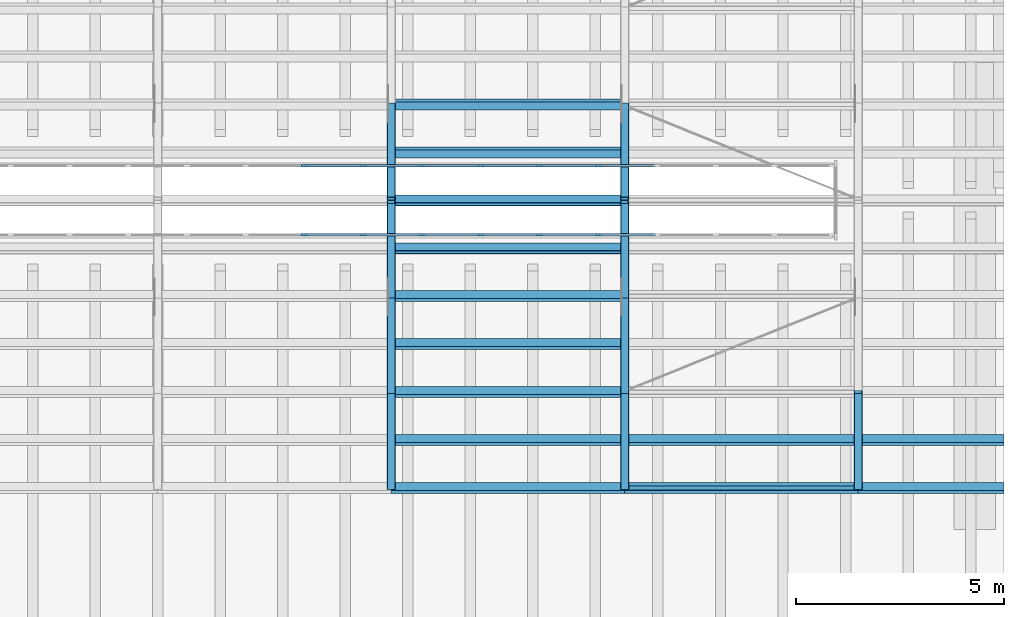
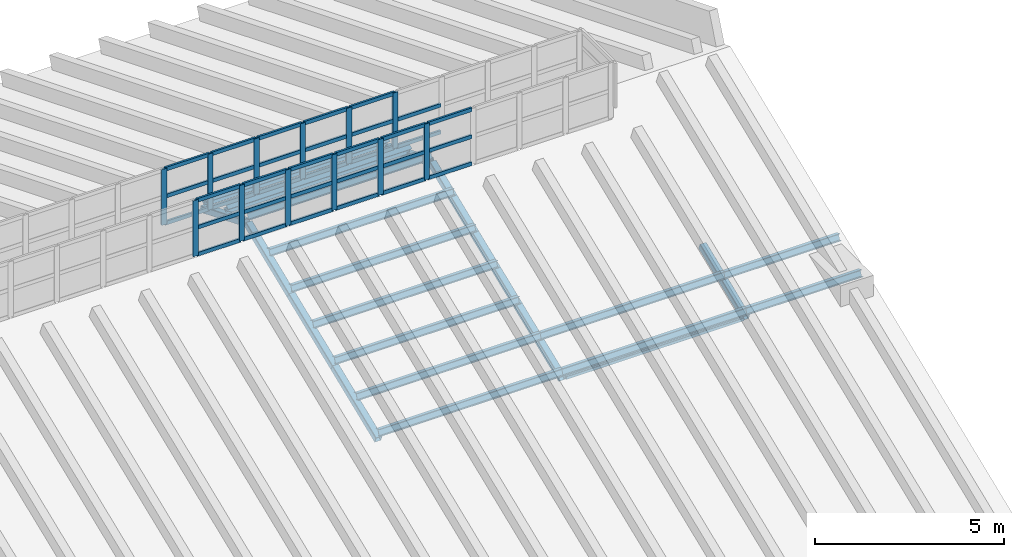
# One storey, part 41 of 105: 70 members, 2 elements without a shape of their own.
"""IFC4 building model written with IfcOpenShell, lengths in metres."""

import ifcopenshell
import ifcopenshell.guid

model = None  # the IFC model being written
_history = None  # IfcOwnerHistory: only IFC2X3 demands one
_inside = {}  # id of a spatial element -> (the spatial element, [elements in it])
_under = {}  # id of a project, library or spatial element -> (it, [spatial elements below it])
_declared = {}  # id of a project -> (the project, [libraries it declares])
_typed = {}  # id of a type object -> (the type object, [elements of that type])
_made_of = {}  # id of a material, layer set ... -> (it, [elements and type objects made of it])


def new_model(schema):
    """Start an empty IFC model of exactly this schema.

    Asked for "IFC4X3", IfcOpenShell would pick the latest addendum, in which some entities
    have other attributes; the version numbers below select the first issue.
    IFC2X3 requires an IfcOwnerHistory on every rooted entity: one is made here for all.
    """
    global model, _history
    if schema == "IFC4X3":
        model = ifcopenshell.file(schema_version=(4, 3, 0, 0))
    else:
        model = ifcopenshell.file(schema=schema)
    _inside.clear()
    _under.clear()
    _declared.clear()
    _typed.clear()
    _made_of.clear()
    _history = None
    if model.schema == "IFC2X3":
        org = make("IfcOrganization", Name="unknown")
        user = make(
            "IfcPersonAndOrganization",
            ThePerson=make("IfcPerson", FamilyName="unknown"),
            TheOrganization=org,
        )
        app = make(
            "IfcApplication",
            ApplicationDeveloper=org,
            Version="unknown",
            ApplicationFullName="unknown",
            ApplicationIdentifier="unknown",
        )
        _history = make(
            "IfcOwnerHistory",
            OwningUser=user,
            OwningApplication=app,
            ChangeAction="ADDED",
            CreationDate=0,
        )
    return model


def make(cls, **values):
    """One entity of the class cls with the attributes given. An attribute that is None is left unset."""
    return model.create_entity(
        cls, **{name: value for name, value in values.items() if value is not None}
    )


def rooted(cls, **values):
    """An entity with a GlobalId (a new one), such as an element, a storey or a relation."""
    return make(cls, GlobalId=ifcopenshell.guid.new(), OwnerHistory=_history, **values)


def si_unit(unit_type, name, prefix=None):
    """IfcSIUnit, for example si_unit("LENGTHUNIT", "METRE", prefix="MILLI")."""
    return make("IfcSIUnit", UnitType=unit_type, Prefix=prefix, Name=name)


def assignment(units):
    """IfcUnitAssignment: the units of a project."""
    return None if units is None else make("IfcUnitAssignment", Units=units)


def point(xyz):
    """IfcCartesianPoint."""
    return None if xyz is None else make("IfcCartesianPoint", Coordinates=xyz)


def direction(xyz):
    """IfcDirection."""
    return None if xyz is None else make("IfcDirection", DirectionRatios=xyz)


def frame(location, z_axis=None, x_axis=None):
    """IfcAxis2Placement3D, a coordinate frame: its origin and axes. An axis left out is left unset."""
    return make(
        "IfcAxis2Placement3D",
        Location=point(location),
        Axis=direction(z_axis),
        RefDirection=direction(x_axis),
    )


def frame_2d(location, x_axis=None):
    """IfcAxis2Placement2D, a coordinate frame in the plane: its origin and x axis."""
    return make(
        "IfcAxis2Placement2D", Location=point(location), RefDirection=direction(x_axis)
    )


def origin():
    """The frame at (0, 0, 0) with its axes left unset."""
    return frame((0.0, 0.0, 0.0))


def origin_2d():
    """The frame at (0, 0) in the plane with its x axis left unset."""
    return frame_2d((0.0, 0.0))


def place(relative_to, where):
    """IfcLocalPlacement: puts the frame where relative to a parent placement (None: the world)."""
    return make(
        "IfcLocalPlacement", PlacementRelTo=relative_to, RelativePlacement=where
    )


def context(
    kind, dimensions, precision=None, world=None, true_north=None, identifier=None
):
    """IfcGeometricRepresentationContext, for example the 3D "Model" context."""
    return make(
        "IfcGeometricRepresentationContext",
        ContextIdentifier=identifier,
        ContextType=kind,
        CoordinateSpaceDimension=dimensions,
        Precision=precision,
        WorldCoordinateSystem=world,
        TrueNorth=true_north,
    )


def subcontext(parent, identifier, kind, view, scale=None):
    """IfcGeometricRepresentationSubContext, for example "Body" below "Model"."""
    return make(
        "IfcGeometricRepresentationSubContext",
        ContextIdentifier=identifier,
        ContextType=kind,
        ParentContext=parent,
        TargetScale=scale,
        TargetView=view,
    )


def project(units=None, contexts=None):
    """IfcProject with its units and contexts."""
    return rooted(
        "IfcProject",
        Name="project",
        RepresentationContexts=contexts,
        UnitsInContext=assignment(units),
    )


def spatial(cls, under=None, at=None, **own):
    """A site, building, storey or space (cls), placed at a placement, below another one or the project."""
    s = rooted(cls, ObjectPlacement=at, **own)
    if under is not None:
        _under.setdefault(under.id(), (under, []))[1].append(s)
    return s


def profile(cls, at=None, kind="AREA", **sizes):
    """A parametric profile (cls). Its sizes go by their IFC names, for example OverallWidth=200.0."""
    return make(cls, ProfileType=kind, Position=at, **sizes)


def rectangle(**sizes):
    """IfcRectangleProfileDef."""
    return profile("IfcRectangleProfileDef", **sizes)


def hollow_rectangle(**sizes):
    """IfcRectangleHollowProfileDef."""
    return profile("IfcRectangleHollowProfileDef", **sizes)


def i_section(**sizes):
    """IfcIShapeProfileDef."""
    return profile("IfcIShapeProfileDef", **sizes)


def extrude(swept, where, along, depth):
    """IfcExtrudedAreaSolid: the profile swept, set in the frame where, extruded along a direction by depth."""
    return make(
        "IfcExtrudedAreaSolid",
        SweptArea=swept,
        Position=where,
        ExtrudedDirection=direction(along),
        Depth=depth,
    )


def shape(context_of_items, identifier, shape_type, items):
    """IfcShapeRepresentation: the items that make up one representation, for example the "Body"."""
    return make(
        "IfcShapeRepresentation",
        ContextOfItems=context_of_items,
        RepresentationIdentifier=identifier,
        RepresentationType=shape_type,
        Items=items,
    )


def material(Name=None, Category=None):
    """IfcMaterial."""
    return make("IfcMaterial", Name=Name, Category=Category)


def layer(
    of_material, thickness, ventilated=None, Name=None, Category=None, Priority=None
):
    """IfcMaterialLayer: one layer of a wall or slab, of a material (None: an air gap)."""
    return make(
        "IfcMaterialLayer",
        Material=of_material,
        LayerThickness=thickness,
        IsVentilated=ventilated,
        Name=Name,
        Category=Category,
        Priority=Priority,
    )


def layer_set(layers, Name=None):
    """IfcMaterialLayerSet."""
    return make("IfcMaterialLayerSet", MaterialLayers=layers, LayerSetName=Name)


def material_profile(
    of_material, cross_section, Name=None, Category=None, Priority=None
):
    """IfcMaterialProfile: a cross section and its material."""
    return make(
        "IfcMaterialProfile",
        Name=Name,
        Material=of_material,
        Profile=cross_section,
        Priority=Priority,
        Category=Category,
    )


def profile_set(profiles, Name=None, composite=None):
    """IfcMaterialProfileSet."""
    return make(
        "IfcMaterialProfileSet",
        Name=Name,
        MaterialProfiles=profiles,
        CompositeProfile=composite,
    )


def made_of(thing, what):
    """Note that an element or type object is made of a material, layer set ...; save() writes the relation."""
    if what is not None:
        _made_of.setdefault(what.id(), (what, []))[1].append(thing)
    return thing


def type_object(cls, material=None, **own):
    """A type object (cls), such as IfcWallType, which elements share."""
    return made_of(rooted(cls, **own), material)


def element(
    cls,
    number,
    at=None,
    inside=None,
    cuts=None,
    type_object=None,
    material=None,
    context=None,
    identifier="Body",
    shape_type=None,
    held_by="IfcProductDefinitionShape",
    body=None,
    shapes=None,
    **own,
):
    """One element of the class cls, such as IfcWall. Its Tag is "e" and its number.

    at: its placement. inside: the storey or other place that contains it. cuts: it is an
    opening in that element (IfcRelVoidsElement). A single representation is given by context,
    identifier, shape_type and body (its items); several are given by shapes. held_by: the class
    of the entity that holds the representations. save() writes the other relations.
    """
    e = rooted(cls, Tag="e%d" % number, ObjectPlacement=at, **own)
    if body is not None:
        shapes = [shape(context, identifier, shape_type, body)]
    if shapes is not None:
        e.Representation = make(held_by, Representations=shapes)
    if inside is not None:
        _inside.setdefault(inside.id(), (inside, []))[1].append(e)
    if cuts is not None:
        rooted(
            "IfcRelVoidsElement", RelatingBuildingElement=cuts, RelatedOpeningElement=e
        )
    if type_object is not None:
        _typed.setdefault(type_object.id(), (type_object, []))[1].append(e)
    return made_of(e, material)


def aggregate(whole, parts):
    """IfcRelAggregates: a whole, such as a stair, and the parts it consists of."""
    return rooted("IfcRelAggregates", RelatingObject=whole, RelatedObjects=parts)


def save(model, path):
    """Write the relations noted so far, then the file.

    IfcRelAggregates (storeys below a building ...), IfcRelContainedInSpatialStructure (elements
    in a storey), IfcRelDefinesByType, IfcRelAssociatesMaterial and IfcRelDeclares: one each for
    every whole, place, type object, material and project.
    """
    for whole, parts in _under.values():
        aggregate(whole, parts)
    for where, things in _inside.values():
        rooted(
            "IfcRelContainedInSpatialStructure",
            RelatedElements=things,
            RelatingStructure=where,
        )
    for kind, things in _typed.values():
        rooted("IfcRelDefinesByType", RelatedObjects=things, RelatingType=kind)
    for what, things in _made_of.values():
        rooted("IfcRelAssociatesMaterial", RelatedObjects=things, RelatingMaterial=what)
    for by, libraries in _declared.values():
        rooted("IfcRelDeclares", RelatingContext=by, RelatedDefinitions=libraries)
    model.write(path)


model = new_model("IFC4")

# Units and contexts
model_context = context("Model", 3, precision=1e-05, world=origin(), true_north=direction((0.0, 1.0)))
body_context = subcontext(model_context, "Body", "Model", "MODEL_VIEW")
ifc_project = project(units=[si_unit("LENGTHUNIT", "METRE"), si_unit("AREAUNIT", "SQUARE_METRE"), si_unit("VOLUMEUNIT", "CUBIC_METRE"), si_unit("PLANEANGLEUNIT", "RADIAN"), si_unit("MASSUNIT", "GRAM", prefix="KILO")], contexts=[model_context])

# Site, building, storey
site_placement = place(None, origin())
site = spatial("IfcSite", under=ifc_project, at=site_placement, CompositionType="ELEMENT")
building_placement = place(site_placement, origin())
building = spatial("IfcBuilding", under=site, at=building_placement, Name="Wasatch Bagh Community Centre", CompositionType="ELEMENT")
storey_placement = place(building_placement, frame((0.0, 0.0, 16.800048828125)))
storey = spatial("IfcBuildingStorey", under=building, at=storey_placement, Name="L04", CompositionType="ELEMENT", Elevation=16.800048828125)

# Members
ifc_material_1 = material(Name="ASTM A500 Grade C steel", Category="steel")
ifc_material_profile_1 = material_profile(ifc_material_1, hollow_rectangle(XDim=0.1015625, YDim=0.1015625, WallThickness=0.005859375, InnerFilletRadius=0.005859375, OuterFilletRadius=0.01171875, at=origin_2d()), Name="HSS4x4x1/4")
ifc_profile_set_1 = profile_set([ifc_material_profile_1], Name="ASTM A500 Grade C steel")
member_type_1 = type_object("IfcMemberType", Name="SH HSS4x4x1/4 strut", PredefinedType="STRUT", material=ifc_profile_set_1)
member_1_placement = place(storey_placement, frame((140.29541015625, 45.10009765625, 0.088134765625), z_axis=(1.0, 0.0, 0.0), x_axis=(0.0, 1.0, 0.0)))
element("IfcMember", 1, at=member_1_placement, inside=storey, type_object=member_type_1, Name="SH.BR.eT.ST03E", PredefinedType="STRUT", context=body_context, shape_type="SweptSolid", body=[
    extrude(hollow_rectangle(XDim=0.1015625, YDim=0.1015625, WallThickness=0.005859375, InnerFilletRadius=0.005859375, OuterFilletRadius=0.01171875, at=origin_2d()), origin(), (0.0, 0.0, 1.0), 5.4091796875),
])
ifc_material_profile_2 = material_profile(ifc_material_1, hollow_rectangle(XDim=0.203125, YDim=0.203125, WallThickness=0.01171875, InnerFilletRadius=0.01171875, OuterFilletRadius=0.023681640625, at=origin_2d()), Name="HSS8x8x1/2")
ifc_profile_set_2 = profile_set([ifc_material_profile_2], Name="ASTM A500 Grade C steel")
member_type_2 = type_object("IfcMemberType", Name="SH HSS8x8x1/2 chord", PredefinedType="CHORD", material=ifc_profile_set_2)
member_2_placement = place(storey_placement, frame((134.60009765625, 45.100341796875, 0.08837890625), z_axis=(0.0, 0.927187923428, 0.374596522472), x_axis=(-1.0, 0.0, 0.0)))
element("IfcMember", 2, at=member_2_placement, inside=storey, type_object=member_type_2, Name="SH.SA5.TC05", PredefinedType="CHORD", context=body_context, shape_type="SweptSolid", body=[
    extrude(hollow_rectangle(XDim=0.203125, YDim=0.203125, WallThickness=0.01171875, InnerFilletRadius=0.01171875, OuterFilletRadius=0.023681640625, at=origin_2d()), origin(), (0.0, 0.0, 1.0), 2.47998046875),
])
member_3_placement = place(storey_placement, frame((134.60009765625, 47.400390625, 1.017578125), z_axis=(0.0, 0.927174106992, 0.374630718605), x_axis=(-1.0, 0.0, 0.0)))
element("IfcMember", 3, at=member_3_placement, inside=storey, type_object=member_type_2, Name="SH.SA5.TC06", PredefinedType="CHORD", context=body_context, shape_type="SweptSolid", body=[
    extrude(hollow_rectangle(XDim=0.203125, YDim=0.203125, WallThickness=0.01171875, InnerFilletRadius=0.01171875, OuterFilletRadius=0.023681640625, at=origin_2d()), origin(), (0.0, 0.0, 1.0), 2.479736328125),
])
for number, where, z_axis, x_axis, name in (
    (4, (134.60009765625, 49.70068359375, 1.947021484375), (0.0, 0.926063881505, 0.377366780961), (-1.0, 0.0, 0.0), "SH.SA5.TC07"),
    (5, (134.60009765625, 52.038818359375, 2.8681640625), (0.0, 0.926063881505, -0.377366780961), (-1.0, 0.0, 0.0), "SH.SA5.TC08"),
):
    element("IfcMember", number, at=place(storey_placement, frame(where, z_axis=z_axis, x_axis=x_axis)), inside=storey, type_object=member_type_2, Name=name, PredefinedType="CHORD", context=body_context, shape_type="SweptSolid", body=[
        extrude(hollow_rectangle(XDim=0.203125, YDim=0.203125, WallThickness=0.01171875, InnerFilletRadius=0.01171875, OuterFilletRadius=0.023681640625, at=origin_2d()), origin(), (0.0, 0.0, 1.0), 2.44091796875),
    ])
member_4_placement = place(storey_placement, frame((140.199951171875, 45.100341796875, 0.08837890625), z_axis=(0.0, 0.927187923428, 0.374596522472), x_axis=(-1.0, 0.0, 0.0)))
element("IfcMember", 6, at=member_4_placement, inside=storey, type_object=member_type_2, Name="SH.SA6.TC05", PredefinedType="CHORD", context=body_context, shape_type="SweptSolid", body=[
    extrude(hollow_rectangle(XDim=0.203125, YDim=0.203125, WallThickness=0.01171875, InnerFilletRadius=0.01171875, OuterFilletRadius=0.023681640625, at=origin_2d()), origin(), (0.0, 0.0, 1.0), 2.47998046875),
])
member_5_placement = place(storey_placement, frame((140.199951171875, 47.400390625, 1.017578125), z_axis=(0.0, 0.927174106992, 0.374630718605), x_axis=(-1.0, 0.0, 0.0)))
element("IfcMember", 7, at=member_5_placement, inside=storey, type_object=member_type_2, Name="SH.SA6.TC06", PredefinedType="CHORD", context=body_context, shape_type="SweptSolid", body=[
    extrude(hollow_rectangle(XDim=0.203125, YDim=0.203125, WallThickness=0.01171875, InnerFilletRadius=0.01171875, OuterFilletRadius=0.023681640625, at=origin_2d()), origin(), (0.0, 0.0, 1.0), 2.479736328125),
])
for number, where, z_axis, x_axis, name in (
    (8, (140.199951171875, 49.70068359375, 1.947021484375), (0.0, 0.926063881505, 0.377366780961), (-1.0, 0.0, 0.0), "SH.SA6.TC07"),
    (9, (140.199951171875, 52.038818359375, 2.8681640625), (0.0, 0.926063881505, -0.377366780961), (-1.0, 0.0, 0.0), "SH.SA6.TC08"),
):
    element("IfcMember", number, at=place(storey_placement, frame(where, z_axis=z_axis, x_axis=x_axis)), inside=storey, type_object=member_type_2, Name=name, PredefinedType="CHORD", context=body_context, shape_type="SweptSolid", body=[
        extrude(hollow_rectangle(XDim=0.203125, YDim=0.203125, WallThickness=0.01171875, InnerFilletRadius=0.01171875, OuterFilletRadius=0.023681640625, at=origin_2d()), origin(), (0.0, 0.0, 1.0), 2.44091796875),
    ])
member_6_placement = place(storey_placement, frame((145.800048828125, 45.100341796875, 0.08837890625), z_axis=(0.0, 0.927187923428, 0.374596522472), x_axis=(-1.0, 0.0, 0.0)))
element("IfcMember", 10, at=member_6_placement, inside=storey, type_object=member_type_2, Name="SH.SA7.TC05", PredefinedType="CHORD", context=body_context, shape_type="SweptSolid", body=[
    extrude(hollow_rectangle(XDim=0.203125, YDim=0.203125, WallThickness=0.01171875, InnerFilletRadius=0.01171875, OuterFilletRadius=0.023681640625, at=origin_2d()), origin(), (0.0, 0.0, 1.0), 2.47998046875),
])
ifc_material_2 = material(Name="ASTM A992 Grade 50 steel", Category="steel")
ifc_material_profile_3 = material_profile(ifc_material_2, i_section(OverallWidth=0.203125, OverallDepth=0.203125, WebThickness=0.00732421875, FlangeThickness=0.010986328125, at=origin_2d()), Name="W8x31")
ifc_profile_set_3 = profile_set([ifc_material_profile_3], Name="ASTM A992 Grade 50 steel")
member_type_3 = type_object("IfcMemberType", Name="SH W8x31 purlin", PredefinedType="PURLIN", material=ifc_profile_set_3)
for number, where, z_axis, x_axis, name in (
    (11, (134.60009765625, 45.10009765625, 0.307373046875), (1.0, 0.0, 0.0), (0.0, 0.927183854567, -0.374606593416), "SH.PUR.b5.PU10"),
    (12, (134.60009765625, 46.25, 0.77197265625), (1.0, 0.0, 0.0), (0.0, 0.927183854567, -0.374606593416), "SH.PUR.b5.PU11"),
    (13, (134.60009765625, 47.39990234375, 1.236572265625), (1.0, 0.0, 0.0), (0.0, 0.927183854567, -0.374606593416), "SH.PUR.b5.PU12"),
    (14, (134.60009765625, 48.550048828125, 1.701171875), (1.0, 0.0, 0.0), (0.0, 0.927183854567, -0.374606593416), "SH.PUR.b5.PU13"),
    (15, (134.60009765625, 49.699951171875, 2.165771484375), (1.0, 0.0, 0.0), (0.0, 0.927183854567, -0.374606593416), "SH.PUR.b5.PU14"),
    (16, (134.60009765625, 50.85009765625, 2.63037109375), (1.0, 0.0, 0.0), (0.0, 0.927183854567, -0.374606593416), "SH.PUR.b5.PU15"),
    (17, (134.60009765625, 52.0, 3.094970703125), (1.0, 0.0, 0.0), (0.0, 0.927183854567, -0.374606593416), "SH.PUR.b5.PU16"),
    (18, (134.60009765625, 53.14990234375, 2.63037109375), (1.0, 0.0, 0.0), (0.0, 0.927183854567, 0.374606593416), "SH.PUR.b5.PU17"),
    (19, (134.60009765625, 54.300048828125, 2.165771484375), (1.0, 0.0, 0.0), (0.0, 0.927183854567, 0.374606593416), "SH.PUR.b5.PU18"),
):
    element("IfcMember", number, at=place(storey_placement, frame(where, z_axis=z_axis, x_axis=x_axis)), inside=storey, type_object=member_type_3, Name=name, PredefinedType="PURLIN", context=body_context, shape_type="SweptSolid", body=[
        extrude(i_section(OverallWidth=0.203125, OverallDepth=0.203125, WebThickness=0.00732421875, FlangeThickness=0.010986328125, at=origin_2d()), origin(), (0.0, 0.0, 1.0), 5.599853515625),
    ])
for number, where, z_axis, x_axis, name in (
    (20, (140.199951171875, 45.10009765625, 0.307373046875), (1.0, 0.0, 0.0), (0.0, 0.927183854567, -0.374606593416), "SH.PUR.b6.PU10"),
    (21, (140.199951171875, 46.25, 0.77197265625), (1.0, 0.0, 0.0), (0.0, 0.927183854567, -0.374606593416), "SH.PUR.b6.PU11"),
):
    element("IfcMember", number, at=place(storey_placement, frame(where, z_axis=z_axis, x_axis=x_axis)), inside=storey, type_object=member_type_3, Name=name, PredefinedType="PURLIN", context=body_context, shape_type="SweptSolid", body=[
        extrude(i_section(OverallWidth=0.203125, OverallDepth=0.203125, WebThickness=0.00732421875, FlangeThickness=0.010986328125, at=origin_2d()), origin(), (0.0, 0.0, 1.0), 5.60009765625),
    ])
for number, where, z_axis, x_axis, name in (
    (22, (145.800048828125, 45.10009765625, 0.307373046875), (1.0, 0.0, 0.0), (0.0, 0.927183854567, -0.374606593416), "SH.PUR.v2.PU10"),
    (23, (145.800048828125, 46.25, 0.77197265625), (1.0, 0.0, 0.0), (0.0, 0.927183854567, -0.374606593416), "SH.PUR.v2.PU11"),
):
    element("IfcMember", number, at=place(storey_placement, frame(where, z_axis=z_axis, x_axis=x_axis)), inside=storey, type_object=member_type_3, Name=name, PredefinedType="PURLIN", context=body_context, shape_type="SweptSolid", body=[
        extrude(i_section(OverallWidth=0.203125, OverallDepth=0.203125, WebThickness=0.00732421875, FlangeThickness=0.010986328125, at=origin_2d()), origin(), (0.0, 0.0, 1.0), 3.5),
    ])

# Curtain wall, members
ifc_material_3 = material(Name="Aluminium alloy 6063-T6", Category="aluminium")
ifc_layer = layer(ifc_material_3, 0.10009765625)
ifc_layer_set = layer_set([ifc_layer], Name="Aluminium alloy 6063-T6")
curtain_wall_type = type_object("IfcCurtainWallType", Name="SH-CW3", PredefinedType="NOTDEFINED", material=ifc_layer_set)
curtain_wall_1_placement = place(storey_placement, origin())
curtain_wall_1 = element("IfcCurtainWall", 24, at=curtain_wall_1_placement, inside=storey, type_object=curtain_wall_type, Name="Curtain wall SH-CW3", PredefinedType="NOTDEFINED")
ifc_material_profile_4 = material_profile(ifc_material_3, rectangle(XDim=0.06005859375, YDim=0.159912109375, at=origin_2d()), Name="AL 60x160")
ifc_profile_set_4 = profile_set([ifc_material_profile_4], Name="Aluminium alloy 6063-T6")
member_type_4 = type_object("IfcMemberType", Name="SH-CW3 mullion", PredefinedType="MULLION", material=ifc_profile_set_4)
member_7_placement = place(storey_placement, frame((132.521728515625, 51.169921875, 3.052734375), z_axis=(0.0, 0.0, 1.0), x_axis=(0.0, 1.0, 0.0)))
member_7 = element("IfcMember", 25, at=member_7_placement, type_object=member_type_4, Name="SH-CW3 mullion 15", PredefinedType="MULLION", context=body_context, shape_type="SweptSolid", body=[
    extrude(rectangle(XDim=0.06005859375, YDim=0.159912109375, at=origin_2d()), origin(), (0.0, 0.0, 1.0), 1.800048828125),
])
member_8_placement = place(storey_placement, frame((133.930419921875, 51.169921875, 3.052734375), z_axis=(0.0, 0.0, 1.0), x_axis=(0.0, 1.0, 0.0)))
member_8 = element("IfcMember", 26, at=member_8_placement, type_object=member_type_4, Name="SH-CW3 mullion 16", PredefinedType="MULLION", context=body_context, shape_type="SweptSolid", body=[
    extrude(rectangle(XDim=0.06005859375, YDim=0.159912109375, at=origin_2d()), origin(), (0.0, 0.0, 1.0), 1.800048828125),
])
member_9_placement = place(storey_placement, frame((135.339111328125, 51.169921875, 3.052734375), z_axis=(0.0, 0.0, 1.0), x_axis=(0.0, 1.0, 0.0)))
member_9 = element("IfcMember", 27, at=member_9_placement, type_object=member_type_4, Name="SH-CW3 mullion 17", PredefinedType="MULLION", context=body_context, shape_type="SweptSolid", body=[
    extrude(rectangle(XDim=0.06005859375, YDim=0.159912109375, at=origin_2d()), origin(), (0.0, 0.0, 1.0), 1.800048828125),
])
member_10_placement = place(storey_placement, frame((136.747802734375, 51.169921875, 3.052734375), z_axis=(0.0, 0.0, 1.0), x_axis=(0.0, 1.0, 0.0)))
member_10 = element("IfcMember", 28, at=member_10_placement, type_object=member_type_4, Name="SH-CW3 mullion 18", PredefinedType="MULLION", context=body_context, shape_type="SweptSolid", body=[
    extrude(rectangle(XDim=0.06005859375, YDim=0.159912109375, at=origin_2d()), origin(), (0.0, 0.0, 1.0), 1.800048828125),
])
member_11_placement = place(storey_placement, frame((138.156494140625, 51.169921875, 3.052734375), z_axis=(0.0, 0.0, 1.0), x_axis=(0.0, 1.0, 0.0)))
member_11 = element("IfcMember", 29, at=member_11_placement, type_object=member_type_4, Name="SH-CW3 mullion 19", PredefinedType="MULLION", context=body_context, shape_type="SweptSolid", body=[
    extrude(rectangle(XDim=0.06005859375, YDim=0.159912109375, at=origin_2d()), origin(), (0.0, 0.0, 1.0), 1.800048828125),
])
member_12_placement = place(storey_placement, frame((139.565185546875, 51.169921875, 3.052734375), z_axis=(0.0, 0.0, 1.0), x_axis=(0.0, 1.0, 0.0)))
member_12 = element("IfcMember", 30, at=member_12_placement, type_object=member_type_4, Name="SH-CW3 mullion 20", PredefinedType="MULLION", context=body_context, shape_type="SweptSolid", body=[
    extrude(rectangle(XDim=0.06005859375, YDim=0.159912109375, at=origin_2d()), origin(), (0.0, 0.0, 1.0), 1.800048828125),
])

curtain_wall_2_placement = place(storey_placement, origin())
curtain_wall_2 = element("IfcCurtainWall", 31, at=curtain_wall_2_placement, inside=storey, type_object=curtain_wall_type, Name="Curtain wall SH-CW3", PredefinedType="NOTDEFINED")
member_13_placement = place(storey_placement, frame((132.521728515625, 52.830078125, 3.052734375), z_axis=(0.0, 0.0, 1.0), x_axis=(0.0, 1.0, 0.0)))
member_13 = element("IfcMember", 32, at=member_13_placement, type_object=member_type_4, Name="SH-CW3 mullion 15", PredefinedType="MULLION", context=body_context, shape_type="SweptSolid", body=[
    extrude(rectangle(XDim=0.06005859375, YDim=0.159912109375, at=origin_2d()), origin(), (0.0, 0.0, 1.0), 1.800048828125),
])
member_14_placement = place(storey_placement, frame((133.930419921875, 52.830078125, 3.052734375), z_axis=(0.0, 0.0, 1.0), x_axis=(0.0, 1.0, 0.0)))
member_14 = element("IfcMember", 33, at=member_14_placement, type_object=member_type_4, Name="SH-CW3 mullion 16", PredefinedType="MULLION", context=body_context, shape_type="SweptSolid", body=[
    extrude(rectangle(XDim=0.06005859375, YDim=0.159912109375, at=origin_2d()), origin(), (0.0, 0.0, 1.0), 1.800048828125),
])
member_15_placement = place(storey_placement, frame((135.339111328125, 52.830078125, 3.052734375), z_axis=(0.0, 0.0, 1.0), x_axis=(0.0, 1.0, 0.0)))
member_15 = element("IfcMember", 34, at=member_15_placement, type_object=member_type_4, Name="SH-CW3 mullion 17", PredefinedType="MULLION", context=body_context, shape_type="SweptSolid", body=[
    extrude(rectangle(XDim=0.06005859375, YDim=0.159912109375, at=origin_2d()), origin(), (0.0, 0.0, 1.0), 1.800048828125),
])
member_16_placement = place(storey_placement, frame((136.747802734375, 52.830078125, 3.052734375), z_axis=(0.0, 0.0, 1.0), x_axis=(0.0, 1.0, 0.0)))
member_16 = element("IfcMember", 35, at=member_16_placement, type_object=member_type_4, Name="SH-CW3 mullion 18", PredefinedType="MULLION", context=body_context, shape_type="SweptSolid", body=[
    extrude(rectangle(XDim=0.06005859375, YDim=0.159912109375, at=origin_2d()), origin(), (0.0, 0.0, 1.0), 1.800048828125),
])
member_17_placement = place(storey_placement, frame((138.156494140625, 52.830078125, 3.052734375), z_axis=(0.0, 0.0, 1.0), x_axis=(0.0, 1.0, 0.0)))
member_17 = element("IfcMember", 36, at=member_17_placement, type_object=member_type_4, Name="SH-CW3 mullion 19", PredefinedType="MULLION", context=body_context, shape_type="SweptSolid", body=[
    extrude(rectangle(XDim=0.06005859375, YDim=0.159912109375, at=origin_2d()), origin(), (0.0, 0.0, 1.0), 1.800048828125),
])
member_18_placement = place(storey_placement, frame((139.565185546875, 52.830078125, 3.052734375), z_axis=(0.0, 0.0, 1.0), x_axis=(0.0, 1.0, 0.0)))
member_18 = element("IfcMember", 37, at=member_18_placement, type_object=member_type_4, Name="SH-CW3 mullion 20", PredefinedType="MULLION", context=body_context, shape_type="SweptSolid", body=[
    extrude(rectangle(XDim=0.06005859375, YDim=0.159912109375, at=origin_2d()), origin(), (0.0, 0.0, 1.0), 1.800048828125),
])

# Member
ifc_material_profile_5 = material_profile(ifc_material_3, rectangle(XDim=0.06005859375, YDim=0.1201171875, at=origin_2d()), Name="AL 60x120")
ifc_profile_set_5 = profile_set([ifc_material_profile_5], Name="Aluminium alloy 6063-T6")
member_type_5 = type_object("IfcMemberType", Name="SH-CW3 transom", PredefinedType="USERDEFINED", material=ifc_profile_set_5)
member_19_placement = place(storey_placement, frame((132.5517578125, 51.169921875, 3.082763671875), z_axis=(1.0, 0.0, 0.0), x_axis=(0.0, 1.0, 0.0)))
member_19 = element("IfcMember", 38, at=member_19_placement, type_object=member_type_5, Name="SH-CW3 transom 15.1", ObjectType="TRANSOM", PredefinedType="USERDEFINED", context=body_context, shape_type="SweptSolid", body=[
    extrude(rectangle(XDim=0.06005859375, YDim=0.1201171875, at=origin_2d()), origin(), (0.0, 0.0, 1.0), 1.3486328125),
])

member_20_placement = place(storey_placement, frame((132.5517578125, 51.169921875, 3.952880859375), z_axis=(1.0, 0.0, 0.0), x_axis=(0.0, 1.0, 0.0)))
member_20 = element("IfcMember", 39, at=member_20_placement, type_object=member_type_5, Name="SH-CW3 transom 15.2", ObjectType="TRANSOM", PredefinedType="USERDEFINED", context=body_context, shape_type="SweptSolid", body=[
    extrude(rectangle(XDim=0.06005859375, YDim=0.1201171875, at=origin_2d()), origin(), (0.0, 0.0, 1.0), 1.3486328125),
])

member_21_placement = place(storey_placement, frame((132.5517578125, 51.169921875, 4.82275390625), z_axis=(1.0, 0.0, 0.0), x_axis=(0.0, 1.0, 0.0)))
member_21 = element("IfcMember", 40, at=member_21_placement, type_object=member_type_5, Name="SH-CW3 transom 15.3", ObjectType="TRANSOM", PredefinedType="USERDEFINED", context=body_context, shape_type="SweptSolid", body=[
    extrude(rectangle(XDim=0.06005859375, YDim=0.1201171875, at=origin_2d()), origin(), (0.0, 0.0, 1.0), 1.3486328125),
])

member_22_placement = place(storey_placement, frame((133.96044921875, 51.169921875, 3.082763671875), z_axis=(1.0, 0.0, 0.0), x_axis=(0.0, 1.0, 0.0)))
member_22 = element("IfcMember", 41, at=member_22_placement, type_object=member_type_5, Name="SH-CW3 transom 16.1", ObjectType="TRANSOM", PredefinedType="USERDEFINED", context=body_context, shape_type="SweptSolid", body=[
    extrude(rectangle(XDim=0.06005859375, YDim=0.1201171875, at=origin_2d()), origin(), (0.0, 0.0, 1.0), 1.3486328125),
])

member_23_placement = place(storey_placement, frame((133.96044921875, 51.169921875, 3.952880859375), z_axis=(1.0, 0.0, 0.0), x_axis=(0.0, 1.0, 0.0)))
member_23 = element("IfcMember", 42, at=member_23_placement, type_object=member_type_5, Name="SH-CW3 transom 16.2", ObjectType="TRANSOM", PredefinedType="USERDEFINED", context=body_context, shape_type="SweptSolid", body=[
    extrude(rectangle(XDim=0.06005859375, YDim=0.1201171875, at=origin_2d()), origin(), (0.0, 0.0, 1.0), 1.3486328125),
])

member_24_placement = place(storey_placement, frame((133.96044921875, 51.169921875, 4.82275390625), z_axis=(1.0, 0.0, 0.0), x_axis=(0.0, 1.0, 0.0)))
member_24 = element("IfcMember", 43, at=member_24_placement, type_object=member_type_5, Name="SH-CW3 transom 16.3", ObjectType="TRANSOM", PredefinedType="USERDEFINED", context=body_context, shape_type="SweptSolid", body=[
    extrude(rectangle(XDim=0.06005859375, YDim=0.1201171875, at=origin_2d()), origin(), (0.0, 0.0, 1.0), 1.3486328125),
])

member_25_placement = place(storey_placement, frame((135.369140625, 51.169921875, 3.082763671875), z_axis=(1.0, 0.0, 0.0), x_axis=(0.0, 1.0, 0.0)))
member_25 = element("IfcMember", 44, at=member_25_placement, type_object=member_type_5, Name="SH-CW3 transom 17.1", ObjectType="TRANSOM", PredefinedType="USERDEFINED", context=body_context, shape_type="SweptSolid", body=[
    extrude(rectangle(XDim=0.06005859375, YDim=0.1201171875, at=origin_2d()), origin(), (0.0, 0.0, 1.0), 1.3486328125),
])

member_26_placement = place(storey_placement, frame((135.369140625, 51.169921875, 3.952880859375), z_axis=(1.0, 0.0, 0.0), x_axis=(0.0, 1.0, 0.0)))
member_26 = element("IfcMember", 45, at=member_26_placement, type_object=member_type_5, Name="SH-CW3 transom 17.2", ObjectType="TRANSOM", PredefinedType="USERDEFINED", context=body_context, shape_type="SweptSolid", body=[
    extrude(rectangle(XDim=0.06005859375, YDim=0.1201171875, at=origin_2d()), origin(), (0.0, 0.0, 1.0), 1.3486328125),
])

member_27_placement = place(storey_placement, frame((135.369140625, 51.169921875, 4.82275390625), z_axis=(1.0, 0.0, 0.0), x_axis=(0.0, 1.0, 0.0)))
member_27 = element("IfcMember", 46, at=member_27_placement, type_object=member_type_5, Name="SH-CW3 transom 17.3", ObjectType="TRANSOM", PredefinedType="USERDEFINED", context=body_context, shape_type="SweptSolid", body=[
    extrude(rectangle(XDim=0.06005859375, YDim=0.1201171875, at=origin_2d()), origin(), (0.0, 0.0, 1.0), 1.3486328125),
])

member_28_placement = place(storey_placement, frame((136.77783203125, 51.169921875, 3.082763671875), z_axis=(1.0, 0.0, 0.0), x_axis=(0.0, 1.0, 0.0)))
member_28 = element("IfcMember", 47, at=member_28_placement, type_object=member_type_5, Name="SH-CW3 transom 18.1", ObjectType="TRANSOM", PredefinedType="USERDEFINED", context=body_context, shape_type="SweptSolid", body=[
    extrude(rectangle(XDim=0.06005859375, YDim=0.1201171875, at=origin_2d()), origin(), (0.0, 0.0, 1.0), 1.3486328125),
])

member_29_placement = place(storey_placement, frame((136.77783203125, 51.169921875, 3.952880859375), z_axis=(1.0, 0.0, 0.0), x_axis=(0.0, 1.0, 0.0)))
member_29 = element("IfcMember", 48, at=member_29_placement, type_object=member_type_5, Name="SH-CW3 transom 18.2", ObjectType="TRANSOM", PredefinedType="USERDEFINED", context=body_context, shape_type="SweptSolid", body=[
    extrude(rectangle(XDim=0.06005859375, YDim=0.1201171875, at=origin_2d()), origin(), (0.0, 0.0, 1.0), 1.3486328125),
])

member_30_placement = place(storey_placement, frame((136.77783203125, 51.169921875, 4.82275390625), z_axis=(1.0, 0.0, 0.0), x_axis=(0.0, 1.0, 0.0)))
member_30 = element("IfcMember", 49, at=member_30_placement, type_object=member_type_5, Name="SH-CW3 transom 18.3", ObjectType="TRANSOM", PredefinedType="USERDEFINED", context=body_context, shape_type="SweptSolid", body=[
    extrude(rectangle(XDim=0.06005859375, YDim=0.1201171875, at=origin_2d()), origin(), (0.0, 0.0, 1.0), 1.3486328125),
])

member_31_placement = place(storey_placement, frame((138.1865234375, 51.169921875, 3.082763671875), z_axis=(1.0, 0.0, 0.0), x_axis=(0.0, 1.0, 0.0)))
member_31 = element("IfcMember", 50, at=member_31_placement, type_object=member_type_5, Name="SH-CW3 transom 19.1", ObjectType="TRANSOM", PredefinedType="USERDEFINED", context=body_context, shape_type="SweptSolid", body=[
    extrude(rectangle(XDim=0.06005859375, YDim=0.1201171875, at=origin_2d()), origin(), (0.0, 0.0, 1.0), 1.3486328125),
])

member_32_placement = place(storey_placement, frame((138.1865234375, 51.169921875, 3.952880859375), z_axis=(1.0, 0.0, 0.0), x_axis=(0.0, 1.0, 0.0)))
member_32 = element("IfcMember", 51, at=member_32_placement, type_object=member_type_5, Name="SH-CW3 transom 19.2", ObjectType="TRANSOM", PredefinedType="USERDEFINED", context=body_context, shape_type="SweptSolid", body=[
    extrude(rectangle(XDim=0.06005859375, YDim=0.1201171875, at=origin_2d()), origin(), (0.0, 0.0, 1.0), 1.3486328125),
])

member_33_placement = place(storey_placement, frame((138.1865234375, 51.169921875, 4.82275390625), z_axis=(1.0, 0.0, 0.0), x_axis=(0.0, 1.0, 0.0)))
member_33 = element("IfcMember", 52, at=member_33_placement, type_object=member_type_5, Name="SH-CW3 transom 19.3", ObjectType="TRANSOM", PredefinedType="USERDEFINED", context=body_context, shape_type="SweptSolid", body=[
    extrude(rectangle(XDim=0.06005859375, YDim=0.1201171875, at=origin_2d()), origin(), (0.0, 0.0, 1.0), 1.3486328125),
])

member_34_placement = place(storey_placement, frame((139.59521484375, 51.169921875, 3.082763671875), z_axis=(1.0, 0.0, 0.0), x_axis=(0.0, 1.0, 0.0)))
member_34 = element("IfcMember", 53, at=member_34_placement, type_object=member_type_5, Name="SH-CW3 transom 20.1", ObjectType="TRANSOM", PredefinedType="USERDEFINED", context=body_context, shape_type="SweptSolid", body=[
    extrude(rectangle(XDim=0.06005859375, YDim=0.1201171875, at=origin_2d()), origin(), (0.0, 0.0, 1.0), 1.3486328125),
])

member_35_placement = place(storey_placement, frame((139.59521484375, 51.169921875, 3.952880859375), z_axis=(1.0, 0.0, 0.0), x_axis=(0.0, 1.0, 0.0)))
member_35 = element("IfcMember", 54, at=member_35_placement, type_object=member_type_5, Name="SH-CW3 transom 20.2", ObjectType="TRANSOM", PredefinedType="USERDEFINED", context=body_context, shape_type="SweptSolid", body=[
    extrude(rectangle(XDim=0.06005859375, YDim=0.1201171875, at=origin_2d()), origin(), (0.0, 0.0, 1.0), 1.3486328125),
])

member_36_placement = place(storey_placement, frame((139.59521484375, 51.169921875, 4.82275390625), z_axis=(1.0, 0.0, 0.0), x_axis=(0.0, 1.0, 0.0)))
member_36 = element("IfcMember", 55, at=member_36_placement, type_object=member_type_5, Name="SH-CW3 transom 20.3", ObjectType="TRANSOM", PredefinedType="USERDEFINED", context=body_context, shape_type="SweptSolid", body=[
    extrude(rectangle(XDim=0.06005859375, YDim=0.1201171875, at=origin_2d()), origin(), (0.0, 0.0, 1.0), 1.3486328125),
])

aggregate(curtain_wall_1, [member_7, member_8, member_9, member_10, member_11, member_12, member_19, member_20, member_21, member_22, member_23, member_24, member_25, member_26, member_27, member_28, member_29, member_30, member_31, member_32, member_33, member_34, member_35, member_36])

member_37_placement = place(storey_placement, frame((132.5517578125, 52.830078125, 3.082763671875), z_axis=(1.0, 0.0, 0.0), x_axis=(0.0, 1.0, 0.0)))
member_37 = element("IfcMember", 56, at=member_37_placement, type_object=member_type_5, Name="SH-CW3 transom 15.1", ObjectType="TRANSOM", PredefinedType="USERDEFINED", context=body_context, shape_type="SweptSolid", body=[
    extrude(rectangle(XDim=0.06005859375, YDim=0.1201171875, at=origin_2d()), origin(), (0.0, 0.0, 1.0), 1.3486328125),
])

member_38_placement = place(storey_placement, frame((132.5517578125, 52.830078125, 3.952880859375), z_axis=(1.0, 0.0, 0.0), x_axis=(0.0, 1.0, 0.0)))
member_38 = element("IfcMember", 57, at=member_38_placement, type_object=member_type_5, Name="SH-CW3 transom 15.2", ObjectType="TRANSOM", PredefinedType="USERDEFINED", context=body_context, shape_type="SweptSolid", body=[
    extrude(rectangle(XDim=0.06005859375, YDim=0.1201171875, at=origin_2d()), origin(), (0.0, 0.0, 1.0), 1.3486328125),
])

member_39_placement = place(storey_placement, frame((132.5517578125, 52.830078125, 4.82275390625), z_axis=(1.0, 0.0, 0.0), x_axis=(0.0, 1.0, 0.0)))
member_39 = element("IfcMember", 58, at=member_39_placement, type_object=member_type_5, Name="SH-CW3 transom 15.3", ObjectType="TRANSOM", PredefinedType="USERDEFINED", context=body_context, shape_type="SweptSolid", body=[
    extrude(rectangle(XDim=0.06005859375, YDim=0.1201171875, at=origin_2d()), origin(), (0.0, 0.0, 1.0), 1.3486328125),
])

member_40_placement = place(storey_placement, frame((133.96044921875, 52.830078125, 3.082763671875), z_axis=(1.0, 0.0, 0.0), x_axis=(0.0, 1.0, 0.0)))
member_40 = element("IfcMember", 59, at=member_40_placement, type_object=member_type_5, Name="SH-CW3 transom 16.1", ObjectType="TRANSOM", PredefinedType="USERDEFINED", context=body_context, shape_type="SweptSolid", body=[
    extrude(rectangle(XDim=0.06005859375, YDim=0.1201171875, at=origin_2d()), origin(), (0.0, 0.0, 1.0), 1.3486328125),
])

member_41_placement = place(storey_placement, frame((133.96044921875, 52.830078125, 3.952880859375), z_axis=(1.0, 0.0, 0.0), x_axis=(0.0, 1.0, 0.0)))
member_41 = element("IfcMember", 60, at=member_41_placement, type_object=member_type_5, Name="SH-CW3 transom 16.2", ObjectType="TRANSOM", PredefinedType="USERDEFINED", context=body_context, shape_type="SweptSolid", body=[
    extrude(rectangle(XDim=0.06005859375, YDim=0.1201171875, at=origin_2d()), origin(), (0.0, 0.0, 1.0), 1.3486328125),
])

member_42_placement = place(storey_placement, frame((133.96044921875, 52.830078125, 4.82275390625), z_axis=(1.0, 0.0, 0.0), x_axis=(0.0, 1.0, 0.0)))
member_42 = element("IfcMember", 61, at=member_42_placement, type_object=member_type_5, Name="SH-CW3 transom 16.3", ObjectType="TRANSOM", PredefinedType="USERDEFINED", context=body_context, shape_type="SweptSolid", body=[
    extrude(rectangle(XDim=0.06005859375, YDim=0.1201171875, at=origin_2d()), origin(), (0.0, 0.0, 1.0), 1.3486328125),
])

member_43_placement = place(storey_placement, frame((135.369140625, 52.830078125, 3.082763671875), z_axis=(1.0, 0.0, 0.0), x_axis=(0.0, 1.0, 0.0)))
member_43 = element("IfcMember", 62, at=member_43_placement, type_object=member_type_5, Name="SH-CW3 transom 17.1", ObjectType="TRANSOM", PredefinedType="USERDEFINED", context=body_context, shape_type="SweptSolid", body=[
    extrude(rectangle(XDim=0.06005859375, YDim=0.1201171875, at=origin_2d()), origin(), (0.0, 0.0, 1.0), 1.3486328125),
])

member_44_placement = place(storey_placement, frame((135.369140625, 52.830078125, 3.952880859375), z_axis=(1.0, 0.0, 0.0), x_axis=(0.0, 1.0, 0.0)))
member_44 = element("IfcMember", 63, at=member_44_placement, type_object=member_type_5, Name="SH-CW3 transom 17.2", ObjectType="TRANSOM", PredefinedType="USERDEFINED", context=body_context, shape_type="SweptSolid", body=[
    extrude(rectangle(XDim=0.06005859375, YDim=0.1201171875, at=origin_2d()), origin(), (0.0, 0.0, 1.0), 1.3486328125),
])

member_45_placement = place(storey_placement, frame((135.369140625, 52.830078125, 4.82275390625), z_axis=(1.0, 0.0, 0.0), x_axis=(0.0, 1.0, 0.0)))
member_45 = element("IfcMember", 64, at=member_45_placement, type_object=member_type_5, Name="SH-CW3 transom 17.3", ObjectType="TRANSOM", PredefinedType="USERDEFINED", context=body_context, shape_type="SweptSolid", body=[
    extrude(rectangle(XDim=0.06005859375, YDim=0.1201171875, at=origin_2d()), origin(), (0.0, 0.0, 1.0), 1.3486328125),
])

member_46_placement = place(storey_placement, frame((136.77783203125, 52.830078125, 3.082763671875), z_axis=(1.0, 0.0, 0.0), x_axis=(0.0, 1.0, 0.0)))
member_46 = element("IfcMember", 65, at=member_46_placement, type_object=member_type_5, Name="SH-CW3 transom 18.1", ObjectType="TRANSOM", PredefinedType="USERDEFINED", context=body_context, shape_type="SweptSolid", body=[
    extrude(rectangle(XDim=0.06005859375, YDim=0.1201171875, at=origin_2d()), origin(), (0.0, 0.0, 1.0), 1.3486328125),
])

member_47_placement = place(storey_placement, frame((136.77783203125, 52.830078125, 3.952880859375), z_axis=(1.0, 0.0, 0.0), x_axis=(0.0, 1.0, 0.0)))
member_47 = element("IfcMember", 66, at=member_47_placement, type_object=member_type_5, Name="SH-CW3 transom 18.2", ObjectType="TRANSOM", PredefinedType="USERDEFINED", context=body_context, shape_type="SweptSolid", body=[
    extrude(rectangle(XDim=0.06005859375, YDim=0.1201171875, at=origin_2d()), origin(), (0.0, 0.0, 1.0), 1.3486328125),
])

member_48_placement = place(storey_placement, frame((136.77783203125, 52.830078125, 4.82275390625), z_axis=(1.0, 0.0, 0.0), x_axis=(0.0, 1.0, 0.0)))
member_48 = element("IfcMember", 67, at=member_48_placement, type_object=member_type_5, Name="SH-CW3 transom 18.3", ObjectType="TRANSOM", PredefinedType="USERDEFINED", context=body_context, shape_type="SweptSolid", body=[
    extrude(rectangle(XDim=0.06005859375, YDim=0.1201171875, at=origin_2d()), origin(), (0.0, 0.0, 1.0), 1.3486328125),
])

member_49_placement = place(storey_placement, frame((138.1865234375, 52.830078125, 3.082763671875), z_axis=(1.0, 0.0, 0.0), x_axis=(0.0, 1.0, 0.0)))
member_49 = element("IfcMember", 68, at=member_49_placement, type_object=member_type_5, Name="SH-CW3 transom 19.1", ObjectType="TRANSOM", PredefinedType="USERDEFINED", context=body_context, shape_type="SweptSolid", body=[
    extrude(rectangle(XDim=0.06005859375, YDim=0.1201171875, at=origin_2d()), origin(), (0.0, 0.0, 1.0), 1.3486328125),
])

member_50_placement = place(storey_placement, frame((138.1865234375, 52.830078125, 3.952880859375), z_axis=(1.0, 0.0, 0.0), x_axis=(0.0, 1.0, 0.0)))
member_50 = element("IfcMember", 69, at=member_50_placement, type_object=member_type_5, Name="SH-CW3 transom 19.2", ObjectType="TRANSOM", PredefinedType="USERDEFINED", context=body_context, shape_type="SweptSolid", body=[
    extrude(rectangle(XDim=0.06005859375, YDim=0.1201171875, at=origin_2d()), origin(), (0.0, 0.0, 1.0), 1.3486328125),
])

member_51_placement = place(storey_placement, frame((138.1865234375, 52.830078125, 4.82275390625), z_axis=(1.0, 0.0, 0.0), x_axis=(0.0, 1.0, 0.0)))
member_51 = element("IfcMember", 70, at=member_51_placement, type_object=member_type_5, Name="SH-CW3 transom 19.3", ObjectType="TRANSOM", PredefinedType="USERDEFINED", context=body_context, shape_type="SweptSolid", body=[
    extrude(rectangle(XDim=0.06005859375, YDim=0.1201171875, at=origin_2d()), origin(), (0.0, 0.0, 1.0), 1.3486328125),
])

member_52_placement = place(storey_placement, frame((139.59521484375, 52.830078125, 3.082763671875), z_axis=(1.0, 0.0, 0.0), x_axis=(0.0, 1.0, 0.0)))
member_52 = element("IfcMember", 71, at=member_52_placement, type_object=member_type_5, Name="SH-CW3 transom 20.1", ObjectType="TRANSOM", PredefinedType="USERDEFINED", context=body_context, shape_type="SweptSolid", body=[
    extrude(rectangle(XDim=0.06005859375, YDim=0.1201171875, at=origin_2d()), origin(), (0.0, 0.0, 1.0), 1.3486328125),
])

member_53_placement = place(storey_placement, frame((139.59521484375, 52.830078125, 3.952880859375), z_axis=(1.0, 0.0, 0.0), x_axis=(0.0, 1.0, 0.0)))
member_53 = element("IfcMember", 72, at=member_53_placement, type_object=member_type_5, Name="SH-CW3 transom 20.2", ObjectType="TRANSOM", PredefinedType="USERDEFINED", context=body_context, shape_type="SweptSolid", body=[
    extrude(rectangle(XDim=0.06005859375, YDim=0.1201171875, at=origin_2d()), origin(), (0.0, 0.0, 1.0), 1.3486328125),
])

aggregate(curtain_wall_2, [member_13, member_14, member_15, member_16, member_17, member_18, member_37, member_38, member_39, member_40, member_41, member_42, member_43, member_44, member_45, member_46, member_47, member_48, member_49, member_50, member_51, member_52, member_53])

save(model, "model.ifc")
